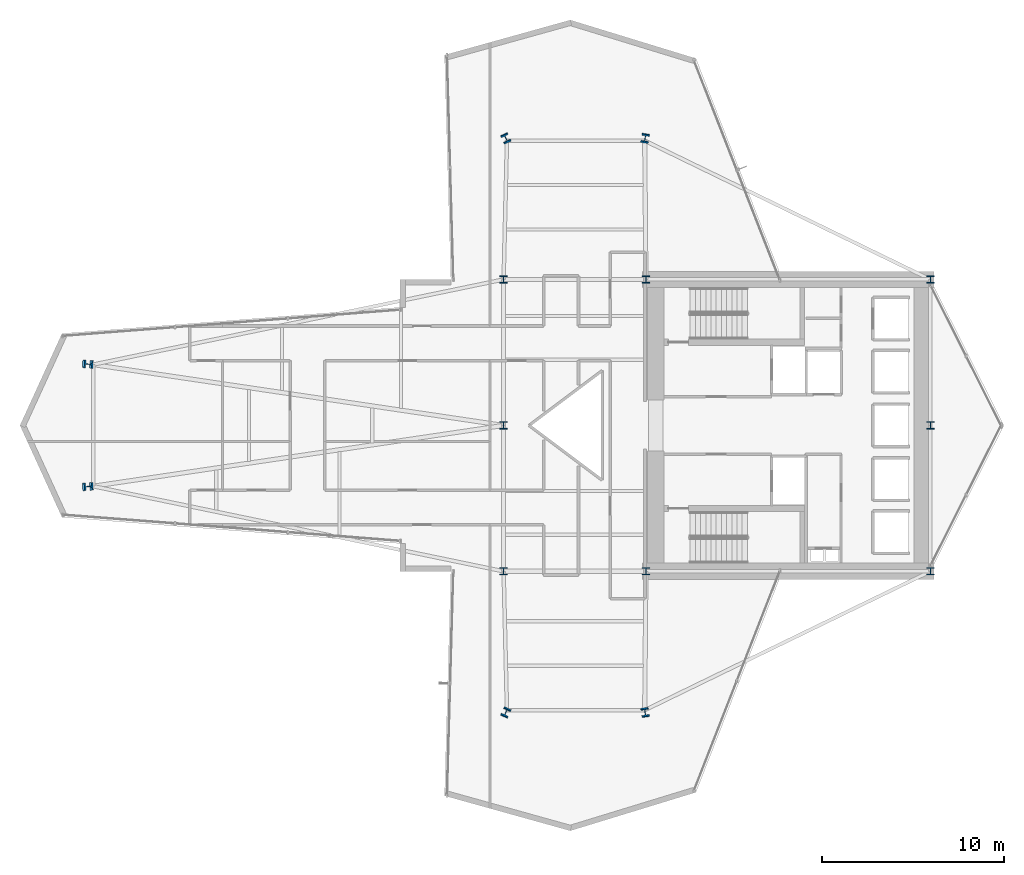
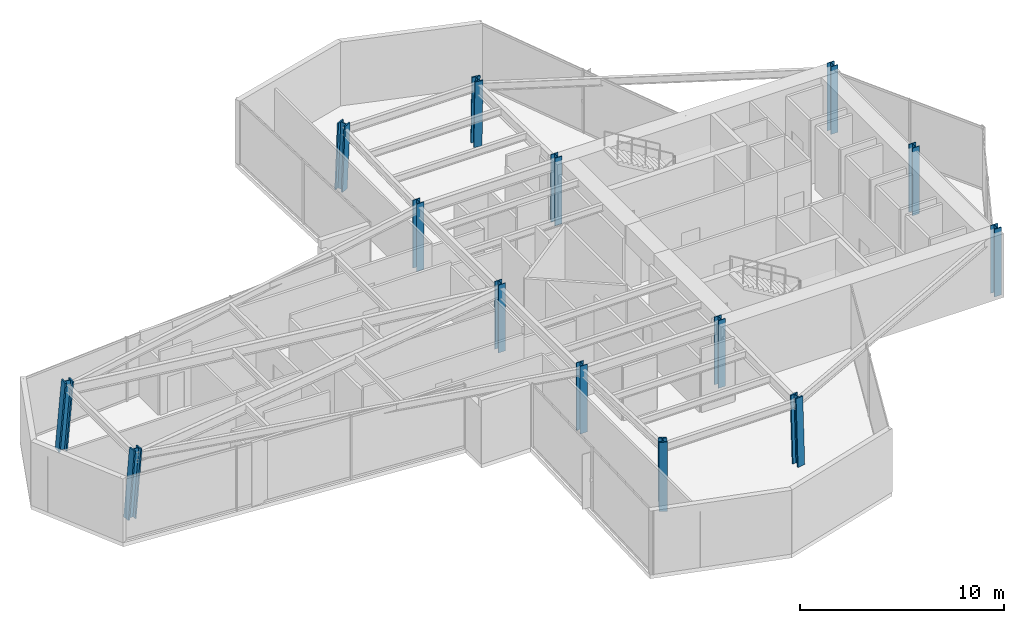
# One storey, part 1 of 29: 14 columns.
"""IFC4 building model written with IfcOpenShell, lengths in metres."""

from ifc_helpers import new_model, si_unit, direction, frame, origin, origin_2d, place, context, subcontext, project, spatial, i_section, extrude, material, material_profile, profile_set, type_object, element, save


model = new_model("IFC4")

# Units and contexts
model_context = context("Model", 3, precision=1e-05, world=origin(), true_north=direction((0.0, 1.0)))
body_context = subcontext(model_context, "Body", "Model", "MODEL_VIEW")
ifc_project = project(units=[si_unit("LENGTHUNIT", "METRE"), si_unit("AREAUNIT", "SQUARE_METRE"), si_unit("VOLUMEUNIT", "CUBIC_METRE"), si_unit("PLANEANGLEUNIT", "RADIAN"), si_unit("MASSUNIT", "GRAM", prefix="KILO")], contexts=[model_context])

# Site, building, storey
site_placement = place(None, origin())
site = spatial("IfcSite", under=ifc_project, at=site_placement, CompositionType="ELEMENT")
building_placement = place(site_placement, origin())
building = spatial("IfcBuilding", under=site, at=building_placement, Name="Veymaron Broadcast Tower", CompositionType="ELEMENT")
storey_placement = place(building_placement, frame((0.0, 0.0, 58.050048828125)))
storey = spatial("IfcBuildingStorey", under=building, at=storey_placement, Name="L12", CompositionType="ELEMENT", Elevation=58.050048828125)

# Columns
ifc_material = material(Name="Structural steel ASTM A913 Gr 65", Category="steel")
ifc_material_profile_1 = material_profile(ifc_material, i_section(OverallWidth=0.40087890625, OverallDepth=0.39892578125, WebThickness=0.02490234375, FlangeThickness=0.03955078125, at=origin_2d()), Name="W360X314")
ifc_profile_set_1 = profile_set([ifc_material_profile_1], Name="Structural steel ASTM A913 Gr 65")
column_type_1 = type_object("IfcColumnType", Name="COL-HC1", PredefinedType="COLUMN", material=ifc_profile_set_1)
for number, where, z_axis, x_axis, name in (
    (1, (31.199951171875, 16.0, 0.0), (0.0, 0.0, 1.0), (1.0, 0.0, 0.0), "L12 structural hub and core column"),
    (2, (31.199951171875, 24.0, 0.0), (0.0, 0.0, 1.0), (1.0, 0.0, 0.0), "L12 structural hub and core column"),
    (3, (31.199951171875, 32.0, 0.0), (0.0, 0.0, 1.0), (1.0, 0.0, 0.0), "L12 structural hub and core column"),
    (4, (39.0, 16.0, 0.0), (0.0, 0.0, 1.0), (1.0, 0.0, 0.0), "L12 structural hub and core column"),
    (5, (39.0, 32.0, 0.0), (0.0, 0.0, 1.0), (1.0, 0.0, 0.0), "L12 structural hub and core column"),
    (6, (54.60009765625, 16.0, 0.0), (0.0, 0.0, 1.0), (1.0, 0.0, 0.0), "L12 structural hub and core column"),
    (7, (54.60009765625, 24.0, 0.0), (0.0, 0.0, 1.0), (1.0, 0.0, 0.0), "L12 structural hub and core column"),
    (8, (54.60009765625, 32.0, 0.0), (0.0, 0.0, 1.0), (1.0, 0.0, 0.0), "L12 structural hub and core column"),
):
    element("IfcColumn", number, at=place(storey_placement, frame(where, z_axis=z_axis, x_axis=x_axis)), inside=storey, type_object=column_type_1, Name=name, PredefinedType="COLUMN", context=body_context, shape_type="SweptSolid", body=[
        extrude(i_section(OverallWidth=0.40087890625, OverallDepth=0.39892578125, WebThickness=0.02490234375, FlangeThickness=0.03955078125, at=origin_2d()), origin(), (0.0, 0.0, 1.0), 4.0439453125),
    ])
ifc_material_profile_2 = material_profile(ifc_material, i_section(OverallWidth=0.424072265625, OverallDepth=0.47412109375, WebThickness=0.047607421875, FlangeThickness=0.076904296875, at=origin_2d()), Name="W360X634")
ifc_profile_set_2 = profile_set([ifc_material_profile_2], Name="Structural steel ASTM A913 Gr 65")
column_type_2 = type_object("IfcColumnType", Name="COL-MC1", PredefinedType="COLUMN", material=ifc_profile_set_2)
for number, where, z_axis, x_axis, name in (
    (9, (8.35205078125, 20.639892578125, 0.015869140625), (0.0855385581, 0.006235294752, 0.996315349765), (-0.072701652196, 0.997353733521, 0.0), "L12 Tapered Wing Mega Column"),
    (10, (8.35205078125, 27.360107421875, 0.015869140625), (0.0855385581, -0.006235294752, 0.996315349765), (0.072701652196, 0.997353733521, 0.0), "L12 Tapered Wing Mega Column"),
):
    element("IfcColumn", number, at=place(storey_placement, frame(where, z_axis=z_axis, x_axis=x_axis)), inside=storey, type_object=column_type_2, Name=name, PredefinedType="COLUMN", context=body_context, shape_type="SweptSolid", body=[
        extrude(i_section(OverallWidth=0.424072265625, OverallDepth=0.47412109375, WebThickness=0.047607421875, FlangeThickness=0.076904296875, at=origin_2d()), origin(), (0.0, 0.0, 1.0), 4.032958984375),
    ])
column_1_placement = place(storey_placement, frame((31.31201171875, 39.760009765625, 0.015869140625), z_axis=(0.017423559696, -0.03727549008, 0.999153120101), x_axis=(0.905919107853, 0.423450788199, 0.0)))
element("IfcColumn", 11, at=column_1_placement, inside=storey, type_object=column_type_2, Name="L12 Tapered Wing Mega Column", PredefinedType="COLUMN", context=body_context, shape_type="SweptSolid", body=[
    extrude(i_section(OverallWidth=0.424072265625, OverallDepth=0.47412109375, WebThickness=0.047607421875, FlangeThickness=0.076904296875, at=origin_2d()), origin(), (0.0, 0.0, 1.0), 4.021484375),
])
column_2_placement = place(storey_placement, frame((38.9599609375, 39.760009765625, 0.015869140625), z_axis=(-0.006193166635, -0.037280434452, 0.9992856518), x_axis=(0.986480631929, -0.163877889995, 0.0)))
element("IfcColumn", 12, at=column_2_placement, inside=storey, type_object=column_type_2, Name="L12 Tapered Wing Mega Column", PredefinedType="COLUMN", context=body_context, shape_type="SweptSolid", body=[
    extrude(i_section(OverallWidth=0.424072265625, OverallDepth=0.47412109375, WebThickness=0.047607421875, FlangeThickness=0.076904296875, at=origin_2d()), origin(), (0.0, 0.0, 1.0), 4.02099609375),
])
column_3_placement = place(storey_placement, frame((31.31201171875, 8.239990234375, 0.015869140625), z_axis=(0.017423559696, 0.03727549008, 0.999153120101), x_axis=(-0.905919107853, 0.423450788199, 0.0)))
element("IfcColumn", 13, at=column_3_placement, inside=storey, type_object=column_type_2, Name="L12 Tapered Wing Mega Column", PredefinedType="COLUMN", context=body_context, shape_type="SweptSolid", body=[
    extrude(i_section(OverallWidth=0.424072265625, OverallDepth=0.47412109375, WebThickness=0.047607421875, FlangeThickness=0.076904296875, at=origin_2d()), origin(), (0.0, 0.0, 1.0), 4.021484375),
])
column_4_placement = place(storey_placement, frame((38.9599609375, 8.239990234375, 0.015869140625), z_axis=(-0.006193166635, 0.037280434452, 0.9992856518), x_axis=(-0.986480631929, -0.163877889995, 0.0)))
element("IfcColumn", 14, at=column_4_placement, inside=storey, type_object=column_type_2, Name="L12 Tapered Wing Mega Column", PredefinedType="COLUMN", context=body_context, shape_type="SweptSolid", body=[
    extrude(i_section(OverallWidth=0.424072265625, OverallDepth=0.47412109375, WebThickness=0.047607421875, FlangeThickness=0.076904296875, at=origin_2d()), origin(), (0.0, 0.0, 1.0), 4.02099609375),
])

save(model, "model.ifc")
